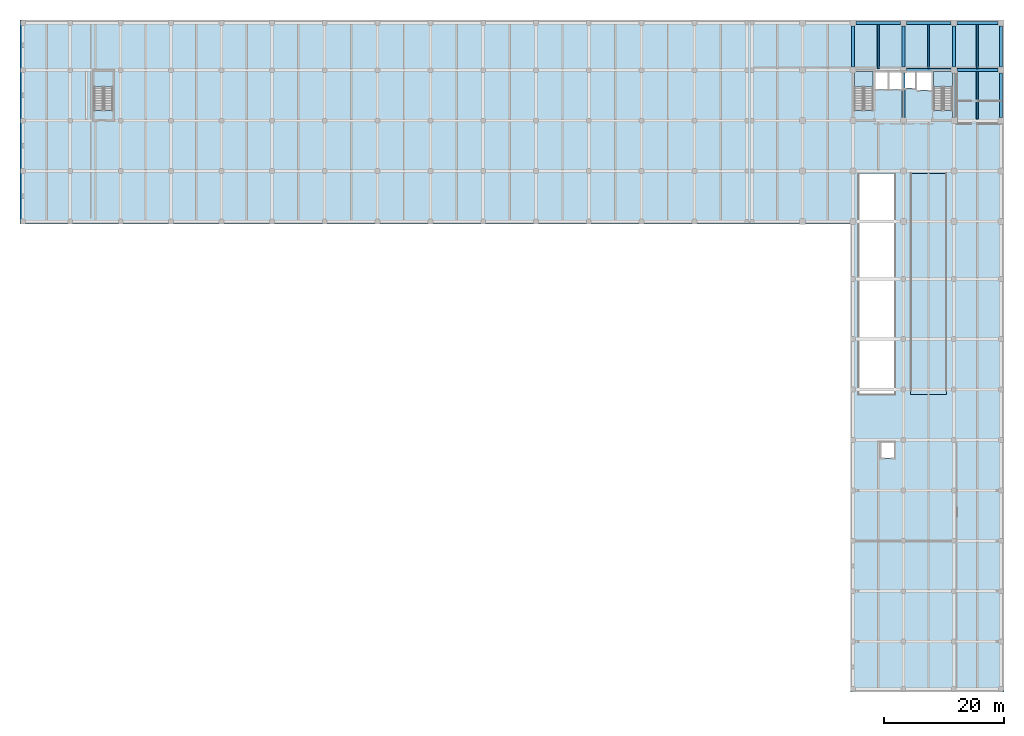
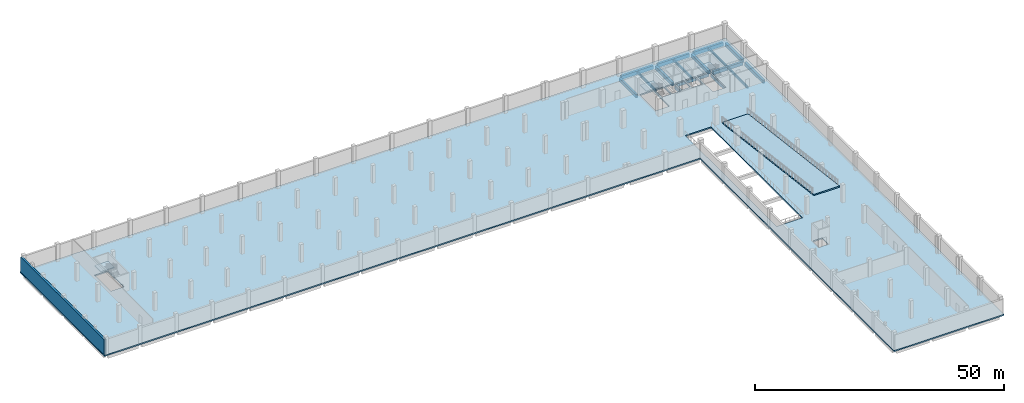
# One storey, part 8 of 17: 16 beams, 5 slabs, 1 wall, 3 elements without a shape of their own.
"""IFC4 building model written with IfcOpenShell, lengths in metres."""

import ifcopenshell
import ifcopenshell.guid

model = None  # the IFC model being written
_history = None  # IfcOwnerHistory: only IFC2X3 demands one
_inside = {}  # id of a spatial element -> (the spatial element, [elements in it])
_under = {}  # id of a project, library or spatial element -> (it, [spatial elements below it])
_declared = {}  # id of a project -> (the project, [libraries it declares])
_typed = {}  # id of a type object -> (the type object, [elements of that type])
_made_of = {}  # id of a material, layer set ... -> (it, [elements and type objects made of it])


def new_model(schema):
    """Start an empty IFC model of exactly this schema.

    Asked for "IFC4X3", IfcOpenShell would pick the latest addendum, in which some entities
    have other attributes; the version numbers below select the first issue.
    IFC2X3 requires an IfcOwnerHistory on every rooted entity: one is made here for all.
    """
    global model, _history
    if schema == "IFC4X3":
        model = ifcopenshell.file(schema_version=(4, 3, 0, 0))
    else:
        model = ifcopenshell.file(schema=schema)
    _inside.clear()
    _under.clear()
    _declared.clear()
    _typed.clear()
    _made_of.clear()
    _history = None
    if model.schema == "IFC2X3":
        org = make("IfcOrganization", Name="unknown")
        user = make(
            "IfcPersonAndOrganization",
            ThePerson=make("IfcPerson", FamilyName="unknown"),
            TheOrganization=org,
        )
        app = make(
            "IfcApplication",
            ApplicationDeveloper=org,
            Version="unknown",
            ApplicationFullName="unknown",
            ApplicationIdentifier="unknown",
        )
        _history = make(
            "IfcOwnerHistory",
            OwningUser=user,
            OwningApplication=app,
            ChangeAction="ADDED",
            CreationDate=0,
        )
    return model


def make(cls, **values):
    """One entity of the class cls with the attributes given. An attribute that is None is left unset."""
    return model.create_entity(
        cls, **{name: value for name, value in values.items() if value is not None}
    )


def rooted(cls, **values):
    """An entity with a GlobalId (a new one), such as an element, a storey or a relation."""
    return make(cls, GlobalId=ifcopenshell.guid.new(), OwnerHistory=_history, **values)


def si_unit(unit_type, name, prefix=None):
    """IfcSIUnit, for example si_unit("LENGTHUNIT", "METRE", prefix="MILLI")."""
    return make("IfcSIUnit", UnitType=unit_type, Prefix=prefix, Name=name)


def assignment(units):
    """IfcUnitAssignment: the units of a project."""
    return None if units is None else make("IfcUnitAssignment", Units=units)


def point(xyz):
    """IfcCartesianPoint."""
    return None if xyz is None else make("IfcCartesianPoint", Coordinates=xyz)


def direction(xyz):
    """IfcDirection."""
    return None if xyz is None else make("IfcDirection", DirectionRatios=xyz)


def frame(location, z_axis=None, x_axis=None):
    """IfcAxis2Placement3D, a coordinate frame: its origin and axes. An axis left out is left unset."""
    return make(
        "IfcAxis2Placement3D",
        Location=point(location),
        Axis=direction(z_axis),
        RefDirection=direction(x_axis),
    )


def frame_2d(location, x_axis=None):
    """IfcAxis2Placement2D, a coordinate frame in the plane: its origin and x axis."""
    return make(
        "IfcAxis2Placement2D", Location=point(location), RefDirection=direction(x_axis)
    )


def origin():
    """The frame at (0, 0, 0) with its axes left unset."""
    return frame((0.0, 0.0, 0.0))


def origin_2d():
    """The frame at (0, 0) in the plane with its x axis left unset."""
    return frame_2d((0.0, 0.0))


def place(relative_to, where):
    """IfcLocalPlacement: puts the frame where relative to a parent placement (None: the world)."""
    return make(
        "IfcLocalPlacement", PlacementRelTo=relative_to, RelativePlacement=where
    )


def context(
    kind, dimensions, precision=None, world=None, true_north=None, identifier=None
):
    """IfcGeometricRepresentationContext, for example the 3D "Model" context."""
    return make(
        "IfcGeometricRepresentationContext",
        ContextIdentifier=identifier,
        ContextType=kind,
        CoordinateSpaceDimension=dimensions,
        Precision=precision,
        WorldCoordinateSystem=world,
        TrueNorth=true_north,
    )


def subcontext(parent, identifier, kind, view, scale=None):
    """IfcGeometricRepresentationSubContext, for example "Body" below "Model"."""
    return make(
        "IfcGeometricRepresentationSubContext",
        ContextIdentifier=identifier,
        ContextType=kind,
        ParentContext=parent,
        TargetScale=scale,
        TargetView=view,
    )


def project(units=None, contexts=None):
    """IfcProject with its units and contexts."""
    return rooted(
        "IfcProject",
        Name="project",
        RepresentationContexts=contexts,
        UnitsInContext=assignment(units),
    )


def spatial(cls, under=None, at=None, **own):
    """A site, building, storey or space (cls), placed at a placement, below another one or the project."""
    s = rooted(cls, ObjectPlacement=at, **own)
    if under is not None:
        _under.setdefault(under.id(), (under, []))[1].append(s)
    return s


def polyline(points):
    """IfcPolyline through the points."""
    return make("IfcPolyline", Points=[point(p) for p in points])


def profile(cls, at=None, kind="AREA", **sizes):
    """A parametric profile (cls). Its sizes go by their IFC names, for example OverallWidth=200.0."""
    return make(cls, ProfileType=kind, Position=at, **sizes)


def rectangle(**sizes):
    """IfcRectangleProfileDef."""
    return profile("IfcRectangleProfileDef", **sizes)


def outline(outer, holes=None, kind="AREA"):
    """IfcArbitraryClosedProfileDef: a profile drawn as a closed curve; with holes, ...WithVoids."""
    if holes is None:
        return make("IfcArbitraryClosedProfileDef", ProfileType=kind, OuterCurve=outer)
    return make(
        "IfcArbitraryProfileDefWithVoids",
        ProfileType=kind,
        OuterCurve=outer,
        InnerCurves=holes,
    )


def extrude(swept, where, along, depth):
    """IfcExtrudedAreaSolid: the profile swept, set in the frame where, extruded along a direction by depth."""
    return make(
        "IfcExtrudedAreaSolid",
        SweptArea=swept,
        Position=where,
        ExtrudedDirection=direction(along),
        Depth=depth,
    )


def shape(context_of_items, identifier, shape_type, items):
    """IfcShapeRepresentation: the items that make up one representation, for example the "Body"."""
    return make(
        "IfcShapeRepresentation",
        ContextOfItems=context_of_items,
        RepresentationIdentifier=identifier,
        RepresentationType=shape_type,
        Items=items,
    )


def material(Name=None, Category=None):
    """IfcMaterial."""
    return make("IfcMaterial", Name=Name, Category=Category)


def layer(
    of_material, thickness, ventilated=None, Name=None, Category=None, Priority=None
):
    """IfcMaterialLayer: one layer of a wall or slab, of a material (None: an air gap)."""
    return make(
        "IfcMaterialLayer",
        Material=of_material,
        LayerThickness=thickness,
        IsVentilated=ventilated,
        Name=Name,
        Category=Category,
        Priority=Priority,
    )


def layer_set(layers, Name=None):
    """IfcMaterialLayerSet."""
    return make("IfcMaterialLayerSet", MaterialLayers=layers, LayerSetName=Name)


def material_profile(
    of_material, cross_section, Name=None, Category=None, Priority=None
):
    """IfcMaterialProfile: a cross section and its material."""
    return make(
        "IfcMaterialProfile",
        Name=Name,
        Material=of_material,
        Profile=cross_section,
        Priority=Priority,
        Category=Category,
    )


def profile_set(profiles, Name=None, composite=None):
    """IfcMaterialProfileSet."""
    return make(
        "IfcMaterialProfileSet",
        Name=Name,
        MaterialProfiles=profiles,
        CompositeProfile=composite,
    )


def made_of(thing, what):
    """Note that an element or type object is made of a material, layer set ...; save() writes the relation."""
    if what is not None:
        _made_of.setdefault(what.id(), (what, []))[1].append(thing)
    return thing


def type_object(cls, material=None, **own):
    """A type object (cls), such as IfcWallType, which elements share."""
    return made_of(rooted(cls, **own), material)


def element(
    cls,
    number,
    at=None,
    inside=None,
    cuts=None,
    type_object=None,
    material=None,
    context=None,
    identifier="Body",
    shape_type=None,
    held_by="IfcProductDefinitionShape",
    body=None,
    shapes=None,
    **own,
):
    """One element of the class cls, such as IfcWall. Its Tag is "e" and its number.

    at: its placement. inside: the storey or other place that contains it. cuts: it is an
    opening in that element (IfcRelVoidsElement). A single representation is given by context,
    identifier, shape_type and body (its items); several are given by shapes. held_by: the class
    of the entity that holds the representations. save() writes the other relations.
    """
    e = rooted(cls, Tag="e%d" % number, ObjectPlacement=at, **own)
    if body is not None:
        shapes = [shape(context, identifier, shape_type, body)]
    if shapes is not None:
        e.Representation = make(held_by, Representations=shapes)
    if inside is not None:
        _inside.setdefault(inside.id(), (inside, []))[1].append(e)
    if cuts is not None:
        rooted(
            "IfcRelVoidsElement", RelatingBuildingElement=cuts, RelatedOpeningElement=e
        )
    if type_object is not None:
        _typed.setdefault(type_object.id(), (type_object, []))[1].append(e)
    return made_of(e, material)


def aggregate(whole, parts):
    """IfcRelAggregates: a whole, such as a stair, and the parts it consists of."""
    return rooted("IfcRelAggregates", RelatingObject=whole, RelatedObjects=parts)


def save(model, path):
    """Write the relations noted so far, then the file.

    IfcRelAggregates (storeys below a building ...), IfcRelContainedInSpatialStructure (elements
    in a storey), IfcRelDefinesByType, IfcRelAssociatesMaterial and IfcRelDeclares: one each for
    every whole, place, type object, material and project.
    """
    for whole, parts in _under.values():
        aggregate(whole, parts)
    for where, things in _inside.values():
        rooted(
            "IfcRelContainedInSpatialStructure",
            RelatedElements=things,
            RelatingStructure=where,
        )
    for kind, things in _typed.values():
        rooted("IfcRelDefinesByType", RelatedObjects=things, RelatingType=kind)
    for what, things in _made_of.values():
        rooted("IfcRelAssociatesMaterial", RelatedObjects=things, RelatingMaterial=what)
    for by, libraries in _declared.values():
        rooted("IfcRelDeclares", RelatingContext=by, RelatedDefinitions=libraries)
    model.write(path)


model = new_model("IFC4")

# Units and contexts
model_context = context("Model", 3, precision=1e-05, world=origin(), true_north=direction((0.0, 1.0)))
body_context = subcontext(model_context, "Body", "Model", "MODEL_VIEW")
ifc_project = project(units=[si_unit("LENGTHUNIT", "METRE"), si_unit("AREAUNIT", "SQUARE_METRE"), si_unit("VOLUMEUNIT", "CUBIC_METRE"), si_unit("PLANEANGLEUNIT", "RADIAN"), si_unit("MASSUNIT", "GRAM", prefix="KILO")], contexts=[model_context])

# Site, building, storey
site_placement = place(None, origin())
site = spatial("IfcSite", under=ifc_project, at=site_placement, CompositionType="ELEMENT")
building_placement = place(site_placement, origin())
building = spatial("IfcBuilding", under=site, at=building_placement, Name="Brinegate Botanical Conservatory", CompositionType="ELEMENT")
storey_placement = place(building_placement, frame((0.0, 0.0, -4.800048828125)))
storey = spatial("IfcBuildingStorey", under=building, at=storey_placement, Name="B1", CompositionType="ELEMENT", Elevation=-4.800048828125)

# Beams
ifc_material_1 = material(Name="Concrete C40/50", Category="concrete")
ifc_material_profile_1 = material_profile(ifc_material_1, rectangle(XDim=0.5, YDim=0.85009765625, at=origin_2d()), Name="RC BM 500x850")
ifc_profile_set_1 = profile_set([ifc_material_profile_1], Name="Concrete C40/50")
beam_type_1 = type_object("IfcBeamType", Name="Beam_BM-B1", PredefinedType="BEAM", material=ifc_profile_set_1)
beam_1_placement = place(storey_placement, frame((147.699951171875, 103.60009765625, -0.744873046875), z_axis=(1.0, 0.0, 0.0), x_axis=(0.0, 1.0, 0.0)))
element("IfcBeam", 1, at=beam_1_placement, inside=storey, type_object=beam_type_1, Name="Beam BM-B1 B1 N:19-20", PredefinedType="BEAM", context=body_context, shape_type="SweptSolid", body=[
    extrude(rectangle(XDim=0.5, YDim=0.85009765625, at=origin_2d()), origin(), (0.0, 0.0, 1.0), 7.400146484375),
])
beam_2_placement = place(storey_placement, frame((156.10009765625, 103.60009765625, -0.744873046875), z_axis=(1.0, 0.0, 0.0), x_axis=(0.0, 1.0, 0.0)))
element("IfcBeam", 2, at=beam_2_placement, inside=storey, type_object=beam_type_1, Name="Beam BM-B1 B1 N:20-21", PredefinedType="BEAM", context=body_context, shape_type="SweptSolid", body=[
    extrude(rectangle(XDim=0.5, YDim=0.85009765625, at=origin_2d()), origin(), (0.0, 0.0, 1.0), 6.849853515625),
])
beam_3_placement = place(storey_placement, frame((139.300048828125, 111.449951171875, -0.744873046875), z_axis=(1.0, 0.0, 0.0), x_axis=(0.0, 1.0, 0.0)))
element("IfcBeam", 3, at=beam_3_placement, inside=storey, type_object=beam_type_1, Name="Beam BM-B1 B1 P:18-19", PredefinedType="BEAM", context=body_context, shape_type="SweptSolid", body=[
    extrude(rectangle(XDim=0.5, YDim=0.85009765625, at=origin_2d()), origin(), (0.0, 0.0, 1.0), 7.39990234375),
])
beam_4_placement = place(storey_placement, frame((147.699951171875, 111.449951171875, -0.744873046875), z_axis=(1.0, 0.0, 0.0), x_axis=(0.0, 1.0, 0.0)))
element("IfcBeam", 4, at=beam_4_placement, inside=storey, type_object=beam_type_1, Name="Beam BM-B1 B1 P:19-20", PredefinedType="BEAM", context=body_context, shape_type="SweptSolid", body=[
    extrude(rectangle(XDim=0.5, YDim=0.85009765625, at=origin_2d()), origin(), (0.0, 0.0, 1.0), 7.400146484375),
])
for number, where, z_axis, x_axis, name in (
    (5, (156.10009765625, 111.449951171875, -0.744873046875), (1.0, 0.0, 0.0), (0.0, 1.0, 0.0), "Beam BM-B1 B1 P:20-21"),
    (6, (138.800048828125, 104.10009765625, -0.744873046875), (0.0, 1.0, 0.0), (-1.0, 0.0, 0.0), "Beam BM-B1 B1 18:N-P"),
):
    element("IfcBeam", number, at=place(storey_placement, frame(where, z_axis=z_axis, x_axis=x_axis)), inside=storey, type_object=beam_type_1, Name=name, PredefinedType="BEAM", context=body_context, shape_type="SweptSolid", body=[
        extrude(rectangle(XDim=0.5, YDim=0.85009765625, at=origin_2d()), origin(), (0.0, 0.0, 1.0), 6.849853515625),
    ])
beam_5_placement = place(storey_placement, frame((147.199951171875, 95.699951171875, -0.744873046875), z_axis=(0.0, 1.0, 0.0), x_axis=(-1.0, 0.0, 0.0)))
element("IfcBeam", 7, at=beam_5_placement, inside=storey, type_object=beam_type_1, Name="Beam BM-B1 B1 19:M-N", PredefinedType="BEAM", context=body_context, shape_type="SweptSolid", body=[
    extrude(rectangle(XDim=0.5, YDim=0.85009765625, at=origin_2d()), origin(), (0.0, 0.0, 1.0), 7.400146484375),
])
beam_6_placement = place(storey_placement, frame((147.199951171875, 104.10009765625, -0.744873046875), z_axis=(0.0, 1.0, 0.0), x_axis=(-1.0, 0.0, 0.0)))
element("IfcBeam", 8, at=beam_6_placement, inside=storey, type_object=beam_type_1, Name="Beam BM-B1 B1 19:N-P", PredefinedType="BEAM", context=body_context, shape_type="SweptSolid", body=[
    extrude(rectangle(XDim=0.5, YDim=0.85009765625, at=origin_2d()), origin(), (0.0, 0.0, 1.0), 6.849853515625),
])
beam_7_placement = place(storey_placement, frame((155.60009765625, 95.699951171875, -0.744873046875), z_axis=(0.0, 1.0, 0.0), x_axis=(-1.0, 0.0, 0.0)))
element("IfcBeam", 9, at=beam_7_placement, inside=storey, type_object=beam_type_1, Name="Beam BM-B1 B1 20:M-N", PredefinedType="BEAM", context=body_context, shape_type="SweptSolid", body=[
    extrude(rectangle(XDim=0.5, YDim=0.85009765625, at=origin_2d()), origin(), (0.0, 0.0, 1.0), 7.400146484375),
])
beam_8_placement = place(storey_placement, frame((155.60009765625, 104.10009765625, -0.744873046875), z_axis=(0.0, 1.0, 0.0), x_axis=(-1.0, 0.0, 0.0)))
element("IfcBeam", 10, at=beam_8_placement, inside=storey, type_object=beam_type_1, Name="Beam BM-B1 B1 20:N-P", PredefinedType="BEAM", context=body_context, shape_type="SweptSolid", body=[
    extrude(rectangle(XDim=0.5, YDim=0.85009765625, at=origin_2d()), origin(), (0.0, 0.0, 1.0), 6.849853515625),
])
beam_9_placement = place(storey_placement, frame((163.449951171875, 95.699951171875, -0.744873046875), z_axis=(0.0, 1.0, 0.0), x_axis=(-1.0, 0.0, 0.0)))
element("IfcBeam", 11, at=beam_9_placement, inside=storey, type_object=beam_type_1, Name="Beam BM-B1 B1 21:M-N", PredefinedType="BEAM", context=body_context, shape_type="SweptSolid", body=[
    extrude(rectangle(XDim=0.5, YDim=0.85009765625, at=origin_2d()), origin(), (0.0, 0.0, 1.0), 7.400146484375),
])
beam_10_placement = place(storey_placement, frame((163.449951171875, 104.10009765625, -0.744873046875), z_axis=(0.0, 1.0, 0.0), x_axis=(-1.0, 0.0, 0.0)))
element("IfcBeam", 12, at=beam_10_placement, inside=storey, type_object=beam_type_1, Name="Beam BM-B1 B1 21:N-P", PredefinedType="BEAM", context=body_context, shape_type="SweptSolid", body=[
    extrude(rectangle(XDim=0.5, YDim=0.85009765625, at=origin_2d()), origin(), (0.0, 0.0, 1.0), 6.849853515625),
])
ifc_material_profile_2 = material_profile(ifc_material_1, rectangle(XDim=0.300048828125, YDim=0.550048828125, at=origin_2d()), Name="RC JST 300x550")
ifc_profile_set_2 = profile_set([ifc_material_profile_2], Name="Concrete C40/50")
beam_type_2 = type_object("IfcBeamType", Name="Beam_JS-C1", PredefinedType="JOIST", material=ifc_profile_set_2)
for number, where, z_axis, x_axis, name in (
    (13, (143.0, 103.85009765625, -0.594970703125), (0.0, 1.0, 0.0), (-1.0, 0.0, 0.0), "Floor joist JS-C1 B1 bay 18.13"),
    (14, (151.39990234375, 103.85009765625, -0.594970703125), (0.0, 1.0, 0.0), (-1.0, 0.0, 0.0), "Floor joist JS-C1 B1 bay 19.13"),
):
    element("IfcBeam", number, at=place(storey_placement, frame(where, z_axis=z_axis, x_axis=x_axis)), inside=storey, type_object=beam_type_2, Name=name, PredefinedType="JOIST", context=body_context, shape_type="SweptSolid", body=[
        extrude(rectangle(XDim=0.300048828125, YDim=0.550048828125, at=origin_2d()), origin(), (0.0, 0.0, 1.0), 7.349853515625),
    ])
beam_11_placement = place(storey_placement, frame((159.52490234375, 95.449951171875, -0.594970703125), z_axis=(0.0, 1.0, 0.0), x_axis=(-1.0, 0.0, 0.0)))
element("IfcBeam", 15, at=beam_11_placement, inside=storey, type_object=beam_type_2, Name="Floor joist JS-C1 B1 bay 20.12", PredefinedType="JOIST", context=body_context, shape_type="SweptSolid", body=[
    extrude(rectangle(XDim=0.300048828125, YDim=0.550048828125, at=origin_2d()), origin(), (0.0, 0.0, 1.0), 7.900146484375),
])
beam_12_placement = place(storey_placement, frame((159.52490234375, 103.85009765625, -0.594970703125), z_axis=(0.0, 1.0, 0.0), x_axis=(-1.0, 0.0, 0.0)))
element("IfcBeam", 16, at=beam_12_placement, inside=storey, type_object=beam_type_2, Name="Floor joist JS-C1 B1 bay 20.13", PredefinedType="JOIST", context=body_context, shape_type="SweptSolid", body=[
    extrude(rectangle(XDim=0.300048828125, YDim=0.550048828125, at=origin_2d()), origin(), (0.0, 0.0, 1.0), 7.349853515625),
])

# Slab
ifc_layer_1 = layer(ifc_material_1, 0.320068359375, Name="Concrete C40/50", Category="concrete")
ifc_layer_set_1 = layer_set([ifc_layer_1], Name="Concrete C40/50")
slab_type_1 = type_object("IfcSlabType", Name="Slab_SL-FL320", PredefinedType="FLOOR", material=ifc_layer_set_1)
slab_1_placement = place(storey_placement, frame((0.0, 0.0, -0.320068359375)))
element("IfcSlab", 17, at=slab_1_placement, inside=storey, type_object=slab_type_1, Name="Basement B1 floor slab", PredefinedType="FLOOR", context=body_context, shape_type="SweptSolid", body=[
    extrude(outline(polyline([(0.030029296875, 78.02001953125), (138.419921875, 78.02001953125), (138.419921875, 0.030029296875), (163.969970703125, 0.030029296875), (163.969970703125, 111.969970703125), (0.030029296875, 111.969970703125), (0.030029296875, 78.02001953125)]), holes=[polyline([(142.14990234375, 96.89990234375), (142.14990234375, 103.35009765625), (139.050048828125, 103.35009765625), (139.050048828125, 96.89990234375), (142.14990234375, 96.89990234375)]), polyline([(155.35009765625, 96.89990234375), (155.35009765625, 103.35009765625), (152.25, 103.35009765625), (152.25, 96.89990234375), (155.35009765625, 96.89990234375)]), polyline([(15.5, 96.89990234375), (15.5, 103.35009765625), (12.39990234375, 103.35009765625), (12.39990234375, 96.89990234375), (15.5, 96.89990234375)]), polyline([(142.550048828125, 100.39990234375), (144.60009765625, 100.39990234375), (144.60009765625, 103.300048828125), (142.550048828125, 103.300048828125), (142.550048828125, 100.39990234375)]), polyline([(144.85009765625, 100.39990234375), (146.89990234375, 100.39990234375), (146.89990234375, 103.300048828125), (144.85009765625, 103.300048828125), (144.85009765625, 100.39990234375)]), polyline([(147.14990234375, 100.60009765625), (149.199951171875, 100.60009765625), (149.199951171875, 103.300048828125), (147.14990234375, 103.300048828125), (147.14990234375, 100.60009765625)]), polyline([(149.449951171875, 100.300048828125), (151.85009765625, 100.300048828125), (151.85009765625, 103.300048828125), (149.449951171875, 103.300048828125), (149.449951171875, 100.300048828125)]), polyline([(143.5, 39.0), (145.699951171875, 39.0), (145.699951171875, 41.5), (143.5, 41.5), (143.5, 39.0)]), polyline([(139.800048828125, 49.60009765625), (145.800048828125, 49.60009765625), (145.800048828125, 86.39990234375), (139.800048828125, 86.39990234375), (139.800048828125, 49.60009765625)])]), origin(), (0.0, 0.0, 1.0), 0.320068359375),
])

# Stair, slab
stair_type = type_object("IfcStairType", Name="Stair_HT-4800", PredefinedType="HALF_TURN_STAIR", material=ifc_material_1)
stair_1_placement = place(storey_placement, origin())
stair_1 = element("IfcStair", 18, at=stair_1_placement, inside=storey, type_object=stair_type, Name="B1 Tower West Smoke-Proof Stair ST1", PredefinedType="HALF_TURN_STAIR")
ifc_layer_2 = layer(ifc_material_1, 0.199951171875, Name="Concrete C40/50", Category="concrete")
ifc_layer_set_2 = layer_set([ifc_layer_2], Name="Concrete C40/50")
slab_type_2 = type_object("IfcSlabType", Name="Slab_SL-LD200", PredefinedType="LANDING", material=ifc_layer_set_2)
slab_2_placement = place(storey_placement, frame((0.0, 0.0, 2.199951171875)))
slab_2 = element("IfcSlab", 19, at=slab_2_placement, type_object=slab_type_2, Name="ST1 landing 1", PredefinedType="LANDING", context=body_context, shape_type="SweptSolid", body=[
    extrude(outline(polyline([(142.14990234375, 100.820068359375), (142.14990234375, 103.35009765625), (139.050048828125, 103.35009765625), (139.050048828125, 100.820068359375), (142.14990234375, 100.820068359375)])), origin(), (0.0, 0.0, 1.0), 0.2001953125),
])
aggregate(stair_1, [slab_2])

stair_2_placement = place(storey_placement, origin())
stair_2 = element("IfcStair", 20, at=stair_2_placement, inside=storey, type_object=stair_type, Name="B1 Tower East Smoke-Proof Stair ST2", PredefinedType="HALF_TURN_STAIR")
slab_3_placement = place(storey_placement, frame((0.0, 0.0, 2.199951171875)))
slab_3 = element("IfcSlab", 21, at=slab_3_placement, type_object=slab_type_2, Name="ST2 landing 1", PredefinedType="LANDING", context=body_context, shape_type="SweptSolid", body=[
    extrude(outline(polyline([(155.35009765625, 100.820068359375), (155.35009765625, 103.35009765625), (152.25, 103.35009765625), (152.25, 100.820068359375), (155.35009765625, 100.820068359375)])), origin(), (0.0, 0.0, 1.0), 0.2001953125),
])
aggregate(stair_2, [slab_3])

stair_3_placement = place(storey_placement, origin())
stair_3 = element("IfcStair", 22, at=stair_3_placement, inside=storey, type_object=stair_type, Name="B1 West Basement Car-Park Smoke-Proof Stair ST8", PredefinedType="HALF_TURN_STAIR")
slab_4_placement = place(storey_placement, frame((0.0, 0.0, 2.199951171875)))
slab_4 = element("IfcSlab", 23, at=slab_4_placement, type_object=slab_type_2, Name="ST8 landing 1", PredefinedType="LANDING", context=body_context, shape_type="SweptSolid", body=[
    extrude(outline(polyline([(15.5, 100.820068359375), (15.5, 103.35009765625), (12.39990234375, 103.35009765625), (12.39990234375, 100.820068359375), (15.5, 100.820068359375)])), origin(), (0.0, 0.0, 1.0), 0.2001953125),
])
aggregate(stair_3, [slab_4])

# Slab
ifc_layer_3 = layer(ifc_material_1, 0.280029296875, Name="Concrete C40/50", Category="concrete")
ifc_layer_set_3 = layer_set([ifc_layer_3], Name="Concrete C40/50")
slab_type_3 = type_object("IfcSlabType", Name="Slab_VR-280", PredefinedType="USERDEFINED", material=ifc_layer_set_3)
slab_5_placement = place(storey_placement, frame((148.39990234375, 49.60009765625, 4.800048828125), z_axis=(0.0, 0.124037975479, 0.992277471597), x_axis=(1.0, 0.0, 0.0)))
element("IfcSlab", 24, at=slab_5_placement, inside=storey, type_object=slab_type_3, Name="Car park two-way vehicle ramp VR-01 structural concrete slab", ObjectType="VEHICLE RAMP", PredefinedType="USERDEFINED", context=body_context, shape_type="SweptSolid", body=[
    extrude(outline(polyline([(0.0, 0.0), (6.0, 0.0), (6.0, 37.08620395086539), (0.0, 37.08620395086539), (0.0, 0.0)])), origin(), (0.0, 0.0, -1.0), 0.280029296875),
])

# Wall
ifc_material_2 = material(Name="Concrete C50/60", Category="concrete")
ifc_layer_4 = layer(ifc_material_2, 0.449951171875, Name="Concrete C50/60", Category="concrete")
ifc_layer_set_4 = layer_set([ifc_layer_4], Name="Concrete C50/60")
wall_type = type_object("IfcWallType", Name="Wall_SW-450", PredefinedType="SHEAR", material=ifc_layer_set_4)
wall_placement = place(storey_placement, frame((0.260009765625, 111.739990234375, 0.0), z_axis=(0.0, 0.0, 1.0), x_axis=(0.0, -1.0, 0.0)))
element("IfcWall", 25, at=wall_placement, inside=storey, type_object=wall_type, Name="Basement perimeter retaining shear wall B1.6", PredefinedType="SHEAR", context=body_context, shape_type="SweptSolid", body=[
    extrude(rectangle(XDim=33.489990234375, YDim=0.449951171875, at=frame_2d((16.7451171875, 0.0))), origin(), (0.0, 0.0, 1.0), 3.75),
])

save(model, "model.ifc")
